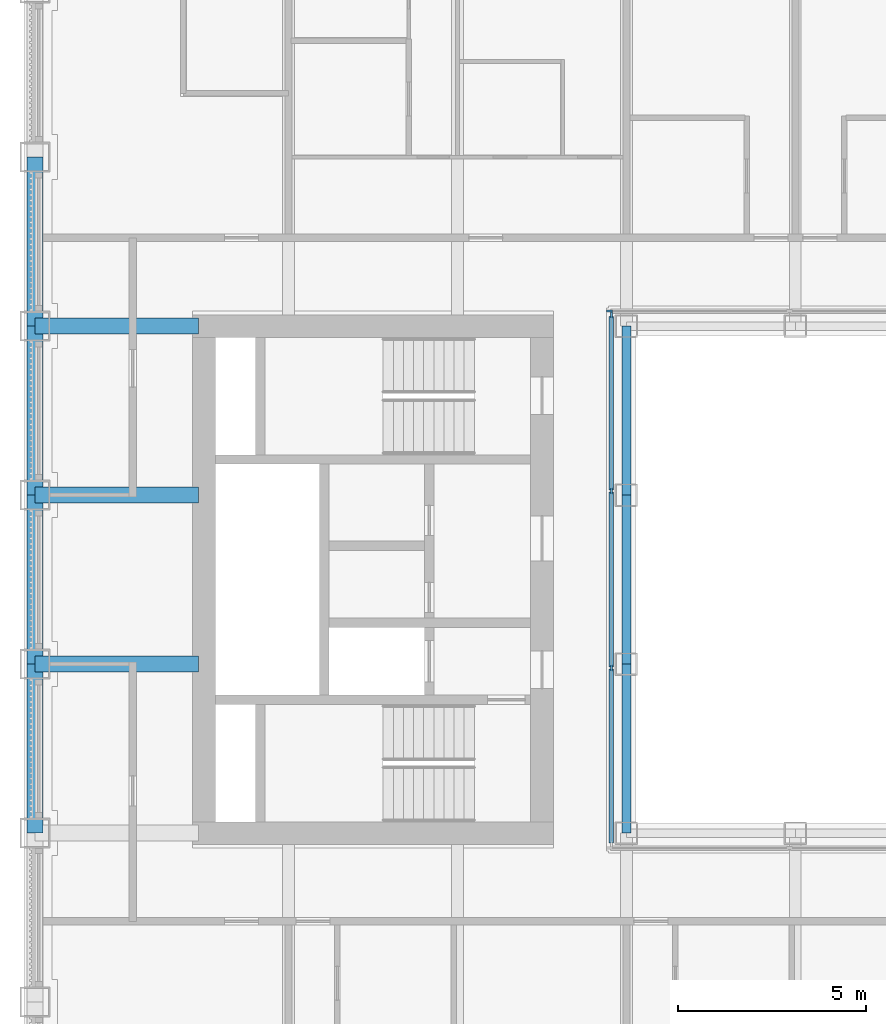
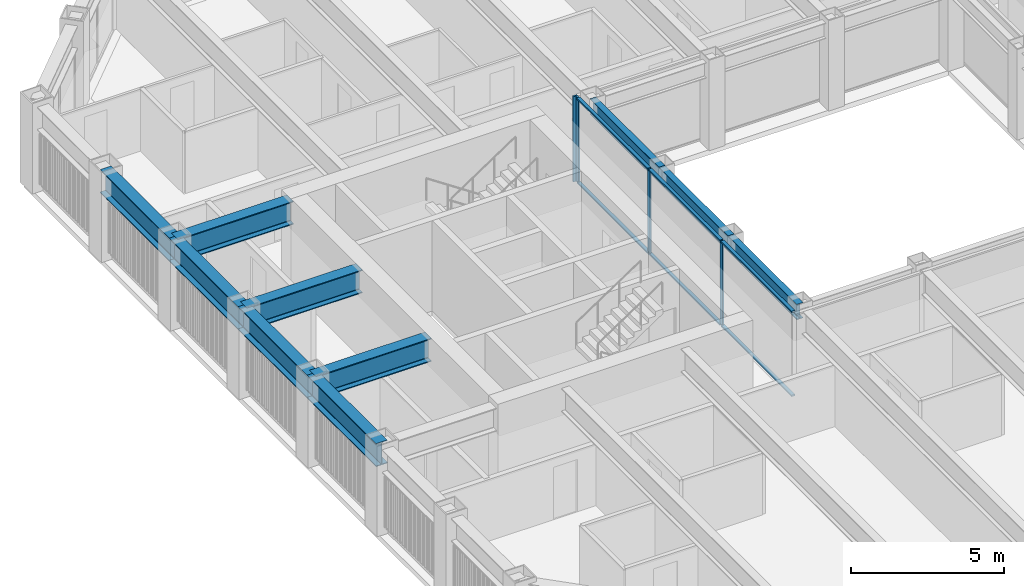
# One storey, part 4 of 17: 10 beams, 10 members, 2 elements without a shape of their own.
"""IFC4 building model written with IfcOpenShell, lengths in metres."""

from ifc_helpers import new_model, si_unit, direction, frame, origin, origin_2d, place, context, subcontext, project, spatial, rectangle, i_section, extrude, material, material_profile, profile_set, type_object, element, aggregate, save


model = new_model("IFC4")

# Units and contexts
model_context = context("Model", 3, precision=1e-05, world=origin(), true_north=direction((0.0, 1.0)))
body_context = subcontext(model_context, "Body", "Model", "MODEL_VIEW")
ifc_project = project(units=[si_unit("LENGTHUNIT", "METRE"), si_unit("AREAUNIT", "SQUARE_METRE"), si_unit("VOLUMEUNIT", "CUBIC_METRE"), si_unit("PLANEANGLEUNIT", "RADIAN"), si_unit("MASSUNIT", "GRAM", prefix="KILO")], contexts=[model_context])

# Site, building, storey
site_placement = place(None, origin())
site = spatial("IfcSite", under=ifc_project, at=site_placement, CompositionType="ELEMENT")
building_placement = place(site_placement, origin())
building = spatial("IfcBuilding", under=site, at=building_placement, Name="Msasa Ring Tower", CompositionType="ELEMENT")
storey_placement = place(building_placement, frame((0.0, 0.0, 176.0)))
storey = spatial("IfcBuildingStorey", under=building, at=storey_placement, Name="L46", CompositionType="ELEMENT", Elevation=176.0)

# Curtain wall, member
ifc_material_1 = material(Name="Aluminium curtain wall with clear glass", Category="aluminium")
curtain_wall_type = type_object("IfcCurtainWallType", Name="CW-W LIGHT WELL CURTAIN WALL", PredefinedType="NOTDEFINED", material=ifc_material_1)
curtain_wall_1_placement = place(storey_placement, origin())
curtain_wall_1 = element("IfcCurtainWall", 1, at=curtain_wall_1_placement, inside=storey, type_object=curtain_wall_type, Name="Light well curtain wall N L46", PredefinedType="NOTDEFINED")
ifc_material_2 = material(Name="Aluminium mullion", Category="aluminium")
ifc_material_profile_1 = material_profile(ifc_material_2, rectangle(XDim=0.06005859375, YDim=0.159912109375, at=origin_2d()), Name="AL 60x160")
ifc_profile_set_1 = profile_set([ifc_material_profile_1], Name="Aluminium mullion")
member_type_1 = type_object("IfcMemberType", Name="CW-W MULLION 60x160", PredefinedType="MULLION", material=ifc_profile_set_1)
member_1_placement = place(storey_placement, frame((-7.199951171875, 7.14990234375, 0.0), z_axis=(0.0, 0.0, 1.0), x_axis=(0.0, 1.0, 0.0)))
member_1 = element("IfcMember", 2, at=member_1_placement, type_object=member_type_1, Name="CW-W mullion 1", PredefinedType="MULLION", context=body_context, shape_type="SweptSolid", body=[
    extrude(rectangle(XDim=0.06005859375, YDim=0.159912109375, at=origin_2d()), origin(), (0.0, 0.0, 1.0), 3.39990234375),
])
aggregate(curtain_wall_1, [member_1])

# Curtain wall, members
curtain_wall_2_placement = place(storey_placement, origin())
curtain_wall_2 = element("IfcCurtainWall", 3, at=curtain_wall_2_placement, inside=storey, type_object=curtain_wall_type, Name="Light well curtain wall W L46", PredefinedType="NOTDEFINED")
member_2_placement = place(storey_placement, frame((-7.14990234375, -2.356689453125, 0.0), z_axis=(0.0, 0.0, 1.0), x_axis=(-1.0, 0.0, 0.0)))
member_2 = element("IfcMember", 4, at=member_2_placement, type_object=member_type_1, Name="CW-W mullion 2", PredefinedType="MULLION", context=body_context, shape_type="SweptSolid", body=[
    extrude(rectangle(XDim=0.06005859375, YDim=0.159912109375, at=origin_2d()), origin(), (0.0, 0.0, 1.0), 3.39990234375),
])
member_3_placement = place(storey_placement, frame((-7.14990234375, 2.356689453125, 0.0), z_axis=(0.0, 0.0, 1.0), x_axis=(-1.0, 0.0, 0.0)))
member_3 = element("IfcMember", 5, at=member_3_placement, type_object=member_type_1, Name="CW-W mullion 3", PredefinedType="MULLION", context=body_context, shape_type="SweptSolid", body=[
    extrude(rectangle(XDim=0.06005859375, YDim=0.159912109375, at=origin_2d()), origin(), (0.0, 0.0, 1.0), 3.39990234375),
])
member_4_placement = place(storey_placement, frame((-7.14990234375, 7.0400390625, 0.0), z_axis=(0.0, 0.0, 1.0), x_axis=(-1.0, 0.0, 0.0)))
member_4 = element("IfcMember", 6, at=member_4_placement, type_object=member_type_1, Name="CW-W mullion 4", PredefinedType="MULLION", context=body_context, shape_type="SweptSolid", body=[
    extrude(rectangle(XDim=0.06005859375, YDim=0.159912109375, at=origin_2d()), origin(), (0.0, 0.0, 1.0), 3.39990234375),
])
ifc_material_3 = material(Name="Aluminium transom", Category="aluminium")
ifc_material_profile_2 = material_profile(ifc_material_3, rectangle(XDim=0.1201171875, YDim=0.06005859375, at=origin_2d()), Name="AL 60x120")
ifc_profile_set_2 = profile_set([ifc_material_profile_2], Name="Aluminium transom")
member_type_2 = type_object("IfcMemberType", Name="CW-W TRANSOM 60x120", PredefinedType="USERDEFINED", material=ifc_profile_set_2)
member_5_placement = place(storey_placement, frame((-7.14990234375, -7.010009765625, 0.030029296875), z_axis=(0.0, 1.0, 0.0), x_axis=(-1.0, 0.0, 0.0)))
member_5 = element("IfcMember", 7, at=member_5_placement, type_object=member_type_2, Name="CW-W transom 1.1", ObjectType="TRANSOM", PredefinedType="USERDEFINED", context=body_context, shape_type="SweptSolid", body=[
    extrude(rectangle(XDim=0.1201171875, YDim=0.06005859375, at=origin_2d()), origin(), (0.0, 0.0, 1.0), 4.623291015625),
])
member_6_placement = place(storey_placement, frame((-7.14990234375, -7.010009765625, 3.3701171875), z_axis=(0.0, 1.0, 0.0), x_axis=(-1.0, 0.0, 0.0)))
member_6 = element("IfcMember", 8, at=member_6_placement, type_object=member_type_2, Name="CW-W transom 1.2", ObjectType="TRANSOM", PredefinedType="USERDEFINED", context=body_context, shape_type="SweptSolid", body=[
    extrude(rectangle(XDim=0.1201171875, YDim=0.06005859375, at=origin_2d()), origin(), (0.0, 0.0, 1.0), 4.623291015625),
])
member_7_placement = place(storey_placement, frame((-7.14990234375, -2.32666015625, 0.030029296875), z_axis=(0.0, 1.0, 0.0), x_axis=(-1.0, 0.0, 0.0)))
member_7 = element("IfcMember", 9, at=member_7_placement, type_object=member_type_2, Name="CW-W transom 2.1", ObjectType="TRANSOM", PredefinedType="USERDEFINED", context=body_context, shape_type="SweptSolid", body=[
    extrude(rectangle(XDim=0.1201171875, YDim=0.06005859375, at=origin_2d()), origin(), (0.0, 0.0, 1.0), 4.6533203125),
])
member_8_placement = place(storey_placement, frame((-7.14990234375, -2.32666015625, 3.3701171875), z_axis=(0.0, 1.0, 0.0), x_axis=(-1.0, 0.0, 0.0)))
member_8 = element("IfcMember", 10, at=member_8_placement, type_object=member_type_2, Name="CW-W transom 2.2", ObjectType="TRANSOM", PredefinedType="USERDEFINED", context=body_context, shape_type="SweptSolid", body=[
    extrude(rectangle(XDim=0.1201171875, YDim=0.06005859375, at=origin_2d()), origin(), (0.0, 0.0, 1.0), 4.6533203125),
])
member_9_placement = place(storey_placement, frame((-7.14990234375, 2.38671875, 0.030029296875), z_axis=(0.0, 1.0, 0.0), x_axis=(-1.0, 0.0, 0.0)))
member_9 = element("IfcMember", 11, at=member_9_placement, type_object=member_type_2, Name="CW-W transom 3.1", ObjectType="TRANSOM", PredefinedType="USERDEFINED", context=body_context, shape_type="SweptSolid", body=[
    extrude(rectangle(XDim=0.1201171875, YDim=0.06005859375, at=origin_2d()), origin(), (0.0, 0.0, 1.0), 4.623291015625),
])
member_10_placement = place(storey_placement, frame((-7.14990234375, 2.38671875, 3.3701171875), z_axis=(0.0, 1.0, 0.0), x_axis=(-1.0, 0.0, 0.0)))
member_10 = element("IfcMember", 12, at=member_10_placement, type_object=member_type_2, Name="CW-W transom 3.2", ObjectType="TRANSOM", PredefinedType="USERDEFINED", context=body_context, shape_type="SweptSolid", body=[
    extrude(rectangle(XDim=0.1201171875, YDim=0.06005859375, at=origin_2d()), origin(), (0.0, 0.0, 1.0), 4.623291015625),
])
aggregate(curtain_wall_2, [member_2, member_3, member_4, member_5, member_6, member_7, member_8, member_9, member_10])

# Beams
ifc_material_4 = material(Name="Steel S355", Category="steel")
ifc_material_profile_3 = material_profile(ifc_material_4, i_section(OverallWidth=0.42041015625, OverallDepth=0.9208984375, WebThickness=0.021484375, FlangeThickness=0.03662109375, FilletRadius=0.024169921875, at=origin_2d()), Name="UB 914x419x388")
ifc_profile_set_3 = profile_set([ifc_material_profile_3], Name="Steel S355")
beam_type_1 = type_object("IfcBeamType", Name="FB2 UB 914x419x388", PredefinedType="BEAM", material=ifc_profile_set_3)
for number, where, z_axis, x_axis, name in (
    (13, (-22.5, -2.25, 2.939453125), (1.0, 0.0, 0.0), (0.0, 1.0, 0.0), "Floor beam W -2.25 under L47"),
    (14, (-22.5, 2.25, 2.939453125), (1.0, 0.0, 0.0), (0.0, 1.0, 0.0), "Floor beam W +2.25 under L47"),
):
    element("IfcBeam", number, at=place(storey_placement, frame(where, z_axis=z_axis, x_axis=x_axis)), inside=storey, type_object=beam_type_1, Name=name, PredefinedType="BEAM", context=body_context, shape_type="SweptSolid", body=[
        extrude(i_section(OverallWidth=0.42041015625, OverallDepth=0.9208984375, WebThickness=0.021484375, FlangeThickness=0.03662109375, FilletRadius=0.024169921875, at=origin_2d()), origin(), (0.0, 0.0, 1.0), 4.35009765625),
    ])
ifc_material_5 = material(Name="Steel S355", Category="steel")
ifc_material_profile_4 = material_profile(ifc_material_5, i_section(OverallWidth=0.42041015625, OverallDepth=0.9208984375, WebThickness=0.021484375, FlangeThickness=0.03662109375, FilletRadius=0.024169921875, at=origin_2d()), Name="UB 914x419x388")
ifc_profile_set_4 = profile_set([ifc_material_profile_4], Name="Steel S355")
beam_type_2 = type_object("IfcBeamType", Name="GB1 UB 914x419x388", PredefinedType="BEAM", material=ifc_profile_set_4)
beam_placement = place(storey_placement, frame((-18.14990234375, 6.75, 2.939453125), z_axis=(-1.0, 0.0, 0.0), x_axis=(0.0, -1.0, 0.0)))
element("IfcBeam", 15, at=beam_placement, inside=storey, type_object=beam_type_2, Name="Girder W +6.75 under L47", PredefinedType="BEAM", context=body_context, shape_type="SweptSolid", body=[
    extrude(i_section(OverallWidth=0.42041015625, OverallDepth=0.9208984375, WebThickness=0.021484375, FlangeThickness=0.03662109375, FilletRadius=0.024169921875, at=origin_2d()), origin(), (0.0, 0.0, 1.0), 4.35009765625),
])
ifc_material_6 = material(Name="Steel S355", Category="steel")
ifc_material_profile_5 = material_profile(ifc_material_6, i_section(OverallWidth=0.230224609375, OverallDepth=0.6171875, WebThickness=0.01318359375, FlangeThickness=0.022216796875, FilletRadius=0.0126953125, at=origin_2d()), Name="UB 610x229x140")
ifc_profile_set_5 = profile_set([ifc_material_profile_5], Name="Steel S355")
beam_type_3 = type_object("IfcBeamType", Name="RB1 UB 610x229x140", PredefinedType="BEAM", material=ifc_profile_set_5)
for number, where, z_axis, x_axis, name in (
    (16, (-6.75, -2.25, 3.09130859375), (0.0, -1.0, 0.0), (1.0, 0.0, 0.0), "Inner ring beam IR-6.75-2.25 under L47"),
    (17, (-6.75, 6.75, 3.09130859375), (0.0, -1.0, 0.0), (1.0, 0.0, 0.0), "Inner ring beam IR-6.75+6.75 under L47"),
    (18, (-6.75, 2.25, 3.09130859375), (0.0, -1.0, 0.0), (1.0, 0.0, 0.0), "Inner ring beam IR-6.75+2.25 under L47"),
):
    element("IfcBeam", number, at=place(storey_placement, frame(where, z_axis=z_axis, x_axis=x_axis)), inside=storey, type_object=beam_type_3, Name=name, PredefinedType="BEAM", context=body_context, shape_type="SweptSolid", body=[
        extrude(i_section(OverallWidth=0.230224609375, OverallDepth=0.6171875, WebThickness=0.01318359375, FlangeThickness=0.022216796875, FilletRadius=0.0126953125, at=origin_2d()), origin(), (0.0, 0.0, 1.0), 4.5),
    ])
ifc_material_7 = material(Name="Steel S355", Category="steel")
ifc_material_profile_6 = material_profile(ifc_material_7, i_section(OverallWidth=0.42041015625, OverallDepth=0.9208984375, WebThickness=0.021484375, FlangeThickness=0.03662109375, FilletRadius=0.024169921875, at=origin_2d()), Name="UB 914x419x388")
ifc_profile_set_6 = profile_set([ifc_material_profile_6], Name="Steel S355")
beam_type_4 = type_object("IfcBeamType", Name="SB1 UB 914x419x388", PredefinedType="SPANDREL", material=ifc_profile_set_6)
for number, where, z_axis, x_axis, name in (
    (19, (-22.5, -2.25, 2.939453125), (0.0, -1.0, 0.0), (1.0, 0.0, 0.0), "Spandrel W-2.25 to W-6.75 under L47"),
    (20, (-22.5, 11.25, 2.939453125), (0.0, -1.0, 0.0), (1.0, 0.0, 0.0), "Spandrel W+11.25 to W+6.75 under L47"),
    (21, (-22.5, 6.75, 2.939453125), (0.0, -1.0, 0.0), (1.0, 0.0, 0.0), "Spandrel W+6.75 to W+2.25 under L47"),
    (22, (-22.5, 2.25, 2.939453125), (0.0, -1.0, 0.0), (1.0, 0.0, 0.0), "Spandrel W+2.25 to W-2.25 under L47"),
):
    element("IfcBeam", number, at=place(storey_placement, frame(where, z_axis=z_axis, x_axis=x_axis)), inside=storey, type_object=beam_type_4, Name=name, PredefinedType="SPANDREL", context=body_context, shape_type="SweptSolid", body=[
        extrude(i_section(OverallWidth=0.42041015625, OverallDepth=0.9208984375, WebThickness=0.021484375, FlangeThickness=0.03662109375, FilletRadius=0.024169921875, at=origin_2d()), origin(), (0.0, 0.0, 1.0), 4.5),
    ])

save(model, "model.ifc")
